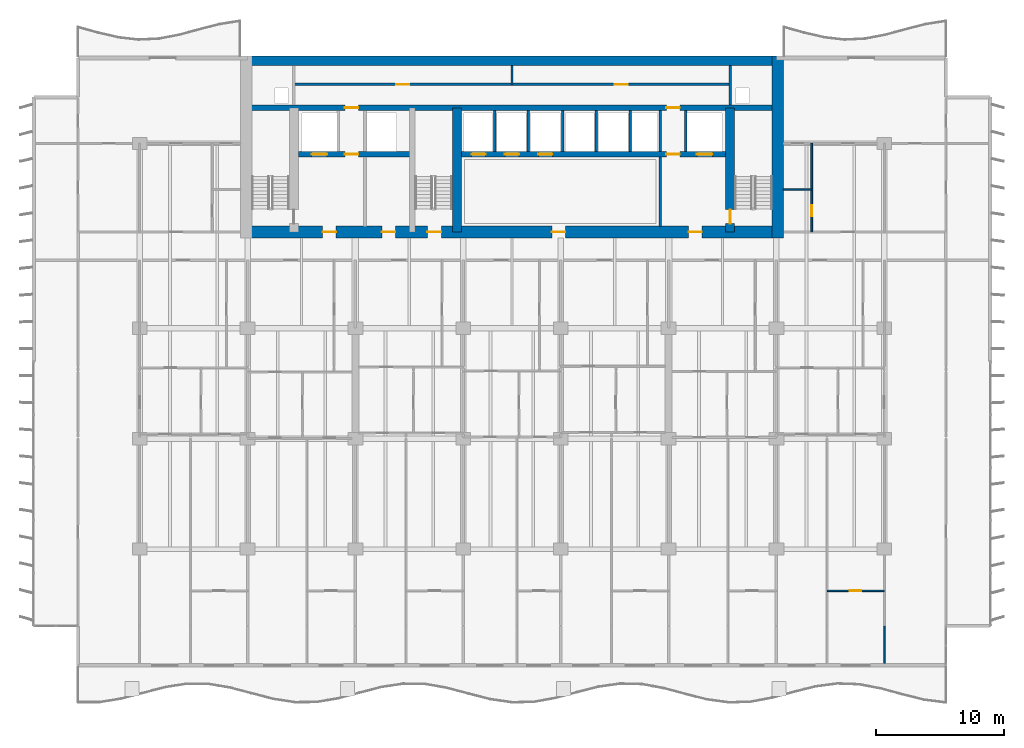
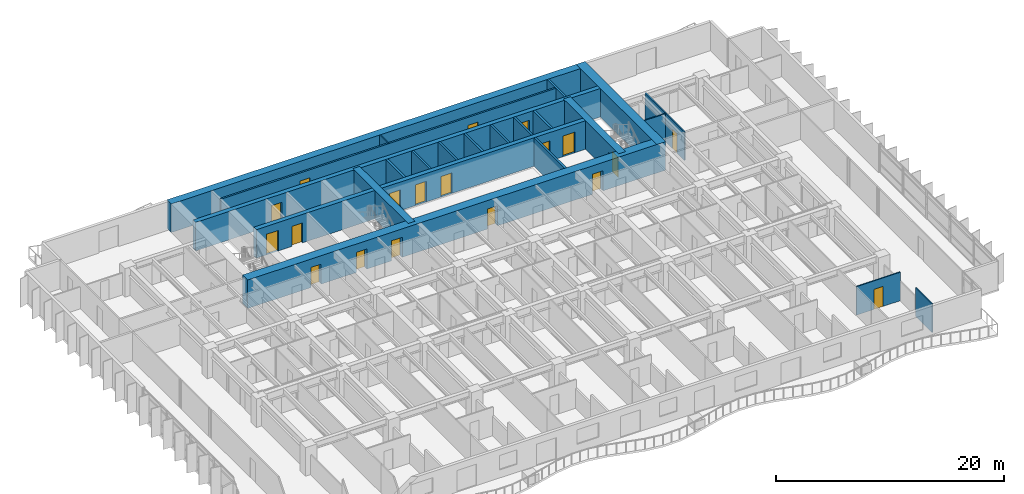
# One storey, part 12 of 18: 22 walls, 19 doors, 19 openings.
"""IFC4 building model written with IfcOpenShell, lengths in metres."""

from ifc_helpers import new_model, si_unit, direction, frame, frame_2d, origin, place, context, subcontext, project, spatial, rectangle, extrude, material, layer, layer_set, type_object, element, fill, save


model = new_model("IFC4")

# Units and contexts
model_context = context("Model", 3, precision=1e-05, world=origin(), true_north=direction((0.0, 1.0)))
body_context = subcontext(model_context, "Body", "Model", "MODEL_VIEW")
ifc_project = project(units=[si_unit("LENGTHUNIT", "METRE"), si_unit("AREAUNIT", "SQUARE_METRE"), si_unit("VOLUMEUNIT", "CUBIC_METRE"), si_unit("PLANEANGLEUNIT", "RADIAN"), si_unit("MASSUNIT", "GRAM", prefix="KILO")], contexts=[model_context])

# Site, building, storey
site_placement = place(None, origin())
site = spatial("IfcSite", under=ifc_project, at=site_placement, CompositionType="ELEMENT")
building_placement = place(site_placement, origin())
building = spatial("IfcBuilding", under=site, at=building_placement, Name="Caelmar Bay Residences", CompositionType="ELEMENT")
storey_placement = place(building_placement, frame((0.0, 0.0, 69.60009765625)))
storey = spatial("IfcBuildingStorey", under=building, at=storey_placement, Name="L18", CompositionType="ELEMENT", Elevation=69.60009765625)

# Wall, opening, door
ifc_material_1 = material(Name="Concrete f'c 55 MPa (8,000 psi)", Category="concrete")
ifc_layer_1 = layer(ifc_material_1, 0.699951171875)
ifc_layer_set_1 = layer_set([ifc_layer_1], Name="Concrete f'c 55 MPa (8,000 psi)")
wall_type_1 = type_object("IfcWallType", Name="SW-COR-700", PredefinedType="SHEAR", material=ifc_layer_set_1)
wall_1_placement = place(storey_placement, frame((55.89990234375, 36.89990234375, 0.0), z_axis=(0.0, 0.0, 1.0), x_axis=(0.0, 1.0, 0.0)))
wall_1 = element("IfcWall", 1, at=wall_1_placement, inside=storey, type_object=wall_type_1, Name="L18 Core Structural Web Wall ST2W", PredefinedType="SHEAR", context=body_context, shape_type="SweptSolid", body=[
    extrude(rectangle(XDim=9.675048828125, YDim=0.699951171875, at=frame_2d((4.83740234375, 0.0))), origin(), (0.0, 0.0, 1.0), 3.0498046875),
])
opening_1_placement = place(wall_1_placement, frame((0.64990234375, 0.0, 0.0)))
opening_1 = element("IfcOpeningElement", 2, at=opening_1_placement, cuts=wall_1, Name="Opening D-L18-111", PredefinedType="OPENING", context=body_context, shape_type="SweptSolid", body=[
    extrude(rectangle(XDim=1.10009765625, YDim=2.14990234375, at=frame_2d((0.550048828125, 1.074951171875))), frame((0.0, 0.35986328125, 0.0), z_axis=(0.0, -1.0, 0.0), x_axis=(1.0, 0.0, 0.0)), (0.0, 0.0, 1.0), 0.719970703125),
])
ifc_material_2 = material(Name="Fire-rated steel and walnut architectural door assembly", Category="steel")
ifc_layer_2 = layer(ifc_material_2, 0.050048828125)
ifc_layer_set_2 = layer_set([ifc_layer_2], Name="Fire-rated steel and walnut architectural door assembly")
door_type_1 = type_object("IfcDoorType", Name="D-STAIR-1100", OperationType="NOTDEFINED", PredefinedType="DOOR", material=ifc_layer_set_2)
door_1_placement = place(opening_1_placement, origin())
door_1 = element("IfcDoor", 3, at=door_1_placement, inside=storey, type_object=door_type_1, Name="L18 Firefighting Lobby East Door", OperationType="SINGLE_SWING_RIGHT", OverallHeight=2.14990234375, OverallWidth=1.10009765625, PredefinedType="DOOR", context=body_context, shape_type="SweptSolid", body=[
    extrude(rectangle(XDim=1.10009765625, YDim=2.14990234375, at=frame_2d((0.550048828125, 1.074951171875))), frame((0.0, 0.02490234375, 0.0), z_axis=(0.0, -1.0, 0.0), x_axis=(1.0, 0.0, 0.0)), (0.0, 0.0, 1.0), 0.050048828125),
])
fill(opening_1, door_1)

# Wall
wall_2_placement = place(storey_placement, frame((34.60009765625, 36.89990234375, 0.0), z_axis=(0.0, 0.0, 1.0), x_axis=(0.0, 1.0, 0.0)))
element("IfcWall", 4, at=wall_2_placement, inside=storey, type_object=wall_type_1, Name="L18 Core Structural Web Wall ST3E", PredefinedType="SHEAR", context=body_context, shape_type="SweptSolid", body=[
    extrude(rectangle(XDim=9.675048828125, YDim=0.699951171875, at=frame_2d((4.83740234375, 0.0))), origin(), (0.0, 0.0, 1.0), 3.0498046875),
])

# Wall, openings, doors
ifc_material_3 = material(Name="Concrete f'c 70 MPa (10,000 psi)", Category="concrete")
ifc_layer_3 = layer(ifc_material_3, 0.89990234375)
ifc_layer_set_3 = layer_set([ifc_layer_3], Name="Concrete f'c 70 MPa (10,000 psi)")
wall_type_2 = type_object("IfcWallType", Name="SW-COR-900", PredefinedType="SHEAR", material=ifc_layer_set_3)
wall_3_placement = place(storey_placement, frame((17.75, 36.89990234375, 0.0), z_axis=(0.0, 0.0, 1.0), x_axis=(1.0, 0.0, 0.0)))
wall_3 = element("IfcWall", 5, at=wall_3_placement, inside=storey, type_object=wall_type_2, Name="L18 Rear Core South Shear Wall", PredefinedType="SHEAR", context=body_context, shape_type="SweptSolid", body=[
    extrude(rectangle(XDim=42.300048828125, YDim=0.89990234375, at=frame_2d((21.14990234375, 0.0))), origin(), (0.0, 0.0, 1.0), 3.0498046875),
])
opening_2_placement = place(wall_3_placement, frame((14.550048828125, 0.0, 0.0)))
opening_2 = element("IfcOpeningElement", 6, at=opening_2_placement, cuts=wall_3, Name="Opening D-L18-106", PredefinedType="OPENING", context=body_context, shape_type="SweptSolid", body=[
    extrude(rectangle(XDim=1.10009765625, YDim=2.14990234375, at=frame_2d((0.550048828125, 1.074951171875))), frame((0.0, 0.4599609375, 0.0), z_axis=(0.0, -1.0, 0.0), x_axis=(1.0, 0.0, 0.0)), (0.0, 0.0, 1.0), 0.919921875),
])
opening_3_placement = place(wall_3_placement, frame((6.39990234375, 0.0, 0.0)))
opening_3 = element("IfcOpeningElement", 7, at=opening_3_placement, cuts=wall_3, Name="Opening D-L18-107", PredefinedType="OPENING", context=body_context, shape_type="SweptSolid", body=[
    extrude(rectangle(XDim=1.050048828125, YDim=2.14990234375, at=frame_2d((0.52490234375, 1.074951171875))), frame((0.0, 0.4599609375, 0.0), z_axis=(0.0, -1.0, 0.0), x_axis=(1.0, 0.0, 0.0)), (0.0, 0.0, 1.0), 0.919921875),
])
opening_4_placement = place(wall_3_placement, frame((34.89990234375, 0.0, 0.0)))
opening_4 = element("IfcOpeningElement", 8, at=opening_4_placement, cuts=wall_3, Name="Opening D-L18-110", PredefinedType="OPENING", context=body_context, shape_type="SweptSolid", body=[
    extrude(rectangle(XDim=1.050048828125, YDim=2.14990234375, at=frame_2d((0.52490234375, 1.074951171875))), frame((0.0, 0.4599609375, 0.0), z_axis=(0.0, -1.0, 0.0), x_axis=(1.0, 0.0, 0.0)), (0.0, 0.0, 1.0), 0.919921875),
])
opening_5_placement = place(wall_3_placement, frame((11.012451171875, 0.0, 0.0)))
opening_5 = element("IfcOpeningElement", 9, at=opening_5_placement, cuts=wall_3, Name="Opening D-L18-113", PredefinedType="OPENING", context=body_context, shape_type="SweptSolid", body=[
    extrude(rectangle(XDim=1.050048828125, YDim=2.14990234375, at=frame_2d((0.52490234375, 1.074951171875))), frame((0.0, 0.4599609375, 0.0), z_axis=(0.0, -1.0, 0.0), x_axis=(1.0, 0.0, 0.0)), (0.0, 0.0, 1.0), 0.919921875),
])
opening_6_placement = place(wall_3_placement, frame((24.25, 0.0, 0.0)))
opening_6 = element("IfcOpeningElement", 10, at=opening_6_placement, cuts=wall_3, Name="Opening D-L18-114", PredefinedType="OPENING", context=body_context, shape_type="SweptSolid", body=[
    extrude(rectangle(XDim=1.050048828125, YDim=2.14990234375, at=frame_2d((0.52490234375, 1.074951171875))), frame((0.0, 0.4599609375, 0.0), z_axis=(0.0, -1.0, 0.0), x_axis=(1.0, 0.0, 0.0)), (0.0, 0.0, 1.0), 0.919921875),
])
ifc_layer_4 = layer(ifc_material_2, 0.050048828125)
ifc_layer_set_4 = layer_set([ifc_layer_4], Name="Fire-rated steel and walnut architectural door assembly")
door_type_2 = type_object("IfcDoorType", Name="D-FSAE-1050", OperationType="NOTDEFINED", PredefinedType="DOOR", material=ifc_layer_set_4)
door_2_placement = place(opening_3_placement, origin())
door_2 = element("IfcDoor", 11, at=door_2_placement, inside=storey, type_object=door_type_2, Name="L18 Firefighting Lobby West Door", OperationType="SINGLE_SWING_RIGHT", OverallHeight=2.14990234375, OverallWidth=1.050048828125, PredefinedType="DOOR", context=body_context, shape_type="SweptSolid", body=[
    extrude(rectangle(XDim=1.050048828125, YDim=2.14990234375, at=frame_2d((0.52490234375, 1.074951171875))), frame((0.0, 0.02490234375, 0.0), z_axis=(0.0, -1.0, 0.0), x_axis=(1.0, 0.0, 0.0)), (0.0, 0.0, 1.0), 0.050048828125),
])
fill(opening_3, door_2)
door_3_placement = place(opening_4_placement, origin())
door_3 = element("IfcDoor", 12, at=door_3_placement, inside=storey, type_object=door_type_2, Name="L18 Firefighting Lobby East Door", OperationType="SINGLE_SWING_LEFT", OverallHeight=2.14990234375, OverallWidth=1.050048828125, PredefinedType="DOOR", context=body_context, shape_type="SweptSolid", body=[
    extrude(rectangle(XDim=1.050048828125, YDim=2.14990234375, at=frame_2d((0.52490234375, 1.074951171875))), frame((0.0, 0.02490234375, 0.0), z_axis=(0.0, -1.0, 0.0), x_axis=(1.0, 0.0, 0.0)), (0.0, 0.0, 1.0), 0.050048828125),
])
fill(opening_4, door_3)
door_4_placement = place(opening_5_placement, origin())
door_4 = element("IfcDoor", 13, at=door_4_placement, inside=storey, type_object=door_type_2, Name="L18 West Lift Lobby Door", OperationType="SINGLE_SWING_RIGHT", OverallHeight=2.14990234375, OverallWidth=1.050048828125, PredefinedType="DOOR", context=body_context, shape_type="SweptSolid", body=[
    extrude(rectangle(XDim=1.050048828125, YDim=2.14990234375, at=frame_2d((0.52490234375, 1.074951171875))), frame((0.0, 0.02490234375, 0.0), z_axis=(0.0, -1.0, 0.0), x_axis=(1.0, 0.0, 0.0)), (0.0, 0.0, 1.0), 0.050048828125),
])
fill(opening_5, door_4)
door_5_placement = place(opening_6_placement, origin())
door_5 = element("IfcDoor", 14, at=door_5_placement, inside=storey, type_object=door_type_2, Name="L18 Passenger Lift Lobby Door", OperationType="SINGLE_SWING_LEFT", OverallHeight=2.14990234375, OverallWidth=1.050048828125, PredefinedType="DOOR", context=body_context, shape_type="SweptSolid", body=[
    extrude(rectangle(XDim=1.050048828125, YDim=2.14990234375, at=frame_2d((0.52490234375, 1.074951171875))), frame((0.0, 0.02490234375, 0.0), z_axis=(0.0, -1.0, 0.0), x_axis=(1.0, 0.0, 0.0)), (0.0, 0.0, 1.0), 0.050048828125),
])
fill(opening_6, door_5)
door_6_placement = place(opening_2_placement, origin())
door_6 = element("IfcDoor", 15, at=door_6_placement, inside=storey, type_object=door_type_1, Name="L18 Exit Stair ST3 Door", OperationType="SINGLE_SWING_LEFT", OverallHeight=2.14990234375, OverallWidth=1.10009765625, PredefinedType="DOOR", context=body_context, shape_type="SweptSolid", body=[
    extrude(rectangle(XDim=1.10009765625, YDim=2.14990234375, at=frame_2d((0.550048828125, 1.074951171875))), frame((0.0, 0.02490234375, 0.0), z_axis=(0.0, -1.0, 0.0), x_axis=(1.0, 0.0, 0.0)), (0.0, 0.0, 1.0), 0.050048828125),
])
fill(opening_2, door_6)

# Walls
wall_4_placement = place(storey_placement, frame((59.60009765625, 36.449951171875, 0.0), z_axis=(0.0, 0.0, 1.0), x_axis=(0.0, 1.0, 0.0)))
element("IfcWall", 16, at=wall_4_placement, inside=storey, type_object=wall_type_2, Name="L18 Rear Core East Shear Wall", PredefinedType="SHEAR", context=body_context, shape_type="SweptSolid", body=[
    extrude(rectangle(XDim=14.150146484375, YDim=0.89990234375, at=frame_2d((7.0751953125, 0.0))), origin(), (0.0, 0.0, 1.0), 3.0498046875),
])
ifc_layer_5 = layer(ifc_material_3, 0.75)
ifc_layer_set_5 = layer_set([ifc_layer_5], Name="Concrete f'c 70 MPa (10,000 psi)")
wall_type_3 = type_object("IfcWallType", Name="SW-CORN-750", PredefinedType="SHEAR", material=ifc_layer_set_5)
wall_5_placement = place(storey_placement, frame((17.75, 50.22509765625, 0.0), z_axis=(0.0, 0.0, 1.0), x_axis=(1.0, 0.0, 0.0)))
element("IfcWall", 17, at=wall_5_placement, inside=storey, type_object=wall_type_3, Name="L18 Rear Core North Shear Wall", PredefinedType="SHEAR", context=body_context, shape_type="SweptSolid", body=[
    extrude(rectangle(XDim=42.300048828125, YDim=0.75, at=frame_2d((21.14990234375, 0.0))), origin(), (0.0, 0.0, 1.0), 3.0498046875),
])

# Wall, openings, doors
ifc_layer_6 = layer(ifc_material_3, 0.449951171875)
ifc_layer_set_6 = layer_set([ifc_layer_6], Name="Concrete f'c 70 MPa (10,000 psi)")
wall_type_4 = type_object("IfcWallType", Name="SW-WEB-450", PredefinedType="SHEAR", material=ifc_layer_set_6)
wall_6_placement = place(storey_placement, frame((22.25, 42.949951171875, 0.0), z_axis=(0.0, 0.0, 1.0), x_axis=(1.0, 0.0, 0.0)))
wall_6 = element("IfcWall", 18, at=wall_6_placement, inside=storey, type_object=wall_type_4, Name="L18 Core Structural Web Wall LFR", PredefinedType="SHEAR", context=body_context, shape_type="SweptSolid", body=[
    extrude(rectangle(XDim=33.300048828125, YDim=0.449951171875, at=frame_2d((16.64990234375, 0.0))), origin(), (0.0, 0.0, 1.0), 3.0498046875),
])
opening_7_placement = place(wall_6_placement, frame((1.050048828125, 0.0, 0.0)))
opening_7 = element("IfcOpeningElement", 19, at=opening_7_placement, cuts=wall_6, Name="Opening LD2", PredefinedType="OPENING", context=body_context, shape_type="SweptSolid", body=[
    extrude(rectangle(XDim=1.199951171875, YDim=2.199951171875, at=frame_2d((0.60009765625, 1.10009765625))), frame((0.0, 0.23486328125, 0.0), z_axis=(0.0, -1.0, 0.0), x_axis=(1.0, 0.0, 0.0)), (0.0, 0.0, 1.0), 0.469970703125),
])
opening_8_placement = place(wall_6_placement, frame((31.050048828125, 0.0, 0.0)))
opening_8 = element("IfcOpeningElement", 20, at=opening_8_placement, cuts=wall_6, Name="Opening LD2", PredefinedType="OPENING", context=body_context, shape_type="SweptSolid", body=[
    extrude(rectangle(XDim=1.199951171875, YDim=2.199951171875, at=frame_2d((0.60009765625, 1.10009765625))), frame((0.0, 0.23486328125, 0.0), z_axis=(0.0, -1.0, 0.0), x_axis=(1.0, 0.0, 0.0)), (0.0, 0.0, 1.0), 0.469970703125),
])
opening_9_placement = place(wall_6_placement, frame((13.5, 0.0, 0.0)))
opening_9 = element("IfcOpeningElement", 21, at=opening_9_placement, cuts=wall_6, Name="Opening LD1", PredefinedType="OPENING", context=body_context, shape_type="SweptSolid", body=[
    extrude(rectangle(XDim=1.10009765625, YDim=2.199951171875, at=frame_2d((0.550048828125, 1.10009765625))), frame((0.0, 0.23486328125, 0.0), z_axis=(0.0, -1.0, 0.0), x_axis=(1.0, 0.0, 0.0)), (0.0, 0.0, 1.0), 0.469970703125),
])
opening_10_placement = place(wall_6_placement, frame((16.10009765625, 0.0, 0.0)))
opening_10 = element("IfcOpeningElement", 22, at=opening_10_placement, cuts=wall_6, Name="Opening LD1", PredefinedType="OPENING", context=body_context, shape_type="SweptSolid", body=[
    extrude(rectangle(XDim=1.10009765625, YDim=2.199951171875, at=frame_2d((0.550048828125, 1.10009765625))), frame((0.0, 0.23486328125, 0.0), z_axis=(0.0, -1.0, 0.0), x_axis=(1.0, 0.0, 0.0)), (0.0, 0.0, 1.0), 0.469970703125),
])
opening_11_placement = place(wall_6_placement, frame((18.699951171875, 0.0, 0.0)))
opening_11 = element("IfcOpeningElement", 23, at=opening_11_placement, cuts=wall_6, Name="Opening LD1", PredefinedType="OPENING", context=body_context, shape_type="SweptSolid", body=[
    extrude(rectangle(XDim=1.10009765625, YDim=2.199951171875, at=frame_2d((0.550048828125, 1.10009765625))), frame((0.0, 0.23486328125, 0.0), z_axis=(0.0, -1.0, 0.0), x_axis=(1.0, 0.0, 0.0)), (0.0, 0.0, 1.0), 0.469970703125),
])
opening_12_placement = place(wall_6_placement, frame((3.625, 0.0, 0.0)))
opening_12 = element("IfcOpeningElement", 24, at=opening_12_placement, cuts=wall_6, Name="Opening D-L18-109", PredefinedType="OPENING", context=body_context, shape_type="SweptSolid", body=[
    extrude(rectangle(XDim=1.050048828125, YDim=2.14990234375, at=frame_2d((0.52490234375, 1.074951171875))), frame((0.0, 0.23486328125, 0.0), z_axis=(0.0, -1.0, 0.0), x_axis=(1.0, 0.0, 0.0)), (0.0, 0.0, 1.0), 0.469970703125),
])
opening_13_placement = place(wall_6_placement, frame((28.675048828125, 0.0, 0.0)))
opening_13 = element("IfcOpeningElement", 25, at=opening_13_placement, cuts=wall_6, Name="Opening D-L18-112", PredefinedType="OPENING", context=body_context, shape_type="SweptSolid", body=[
    extrude(rectangle(XDim=1.050048828125, YDim=2.14990234375, at=frame_2d((0.52490234375, 1.074951171875))), frame((0.0, 0.23486328125, 0.0), z_axis=(0.0, -1.0, 0.0), x_axis=(1.0, 0.0, 0.0)), (0.0, 0.0, 1.0), 0.469970703125),
])
door_7_placement = place(opening_12_placement, origin())
door_7 = element("IfcDoor", 26, at=door_7_placement, inside=storey, type_object=door_type_2, Name="L18 Firefighting Lobby West Door", OperationType="SINGLE_SWING_RIGHT", OverallHeight=2.14990234375, OverallWidth=1.050048828125, PredefinedType="DOOR", context=body_context, shape_type="SweptSolid", body=[
    extrude(rectangle(XDim=1.050048828125, YDim=2.14990234375, at=frame_2d((0.52490234375, 1.074951171875))), frame((0.0, 0.02490234375, 0.0), z_axis=(0.0, -1.0, 0.0), x_axis=(1.0, 0.0, 0.0)), (0.0, 0.0, 1.0), 0.050048828125),
])
fill(opening_12, door_7)
door_8_placement = place(opening_13_placement, origin())
door_8 = element("IfcDoor", 27, at=door_8_placement, inside=storey, type_object=door_type_2, Name="L18 Firefighting Lobby East Door", OperationType="SINGLE_SWING_LEFT", OverallHeight=2.14990234375, OverallWidth=1.050048828125, PredefinedType="DOOR", context=body_context, shape_type="SweptSolid", body=[
    extrude(rectangle(XDim=1.050048828125, YDim=2.14990234375, at=frame_2d((0.52490234375, 1.074951171875))), frame((0.0, 0.02490234375, 0.0), z_axis=(0.0, -1.0, 0.0), x_axis=(1.0, 0.0, 0.0)), (0.0, 0.0, 1.0), 0.050048828125),
])
fill(opening_13, door_8)
ifc_material_4 = material(Name="Brushed bronze stainless-steel fire-rated lift landing doors", Category="steel")
ifc_layer_7 = layer(ifc_material_4, 0.050048828125)
ifc_layer_set_7 = layer_set([ifc_layer_7], Name="Brushed bronze stainless-steel fire-rated lift landing doors")
door_type_3 = type_object("IfcDoorType", Name="D-LND-1100", OperationType="DOUBLE_DOOR_SLIDING", PredefinedType="DOOR", material=ifc_layer_set_7)
door_9_placement = place(opening_9_placement, origin())
door_9 = element("IfcDoor", 28, at=door_9_placement, inside=storey, type_object=door_type_3, Name="L18 LP1 Sliding Landing Door", OperationType="DOUBLE_DOOR_SLIDING", OverallHeight=2.199951171875, OverallWidth=1.10009765625, PredefinedType="DOOR", context=body_context, shape_type="SweptSolid", body=[
    extrude(rectangle(XDim=1.10009765625, YDim=2.199951171875, at=frame_2d((0.550048828125, 1.10009765625))), frame((0.0, 0.02490234375, 0.0), z_axis=(0.0, -1.0, 0.0), x_axis=(1.0, 0.0, 0.0)), (0.0, 0.0, 1.0), 0.050048828125),
])
fill(opening_9, door_9)
door_10_placement = place(opening_10_placement, origin())
door_10 = element("IfcDoor", 29, at=door_10_placement, inside=storey, type_object=door_type_3, Name="L18 LP2 Sliding Landing Door", OperationType="DOUBLE_DOOR_SLIDING", OverallHeight=2.199951171875, OverallWidth=1.10009765625, PredefinedType="DOOR", context=body_context, shape_type="SweptSolid", body=[
    extrude(rectangle(XDim=1.10009765625, YDim=2.199951171875, at=frame_2d((0.550048828125, 1.10009765625))), frame((0.0, 0.02490234375, 0.0), z_axis=(0.0, -1.0, 0.0), x_axis=(1.0, 0.0, 0.0)), (0.0, 0.0, 1.0), 0.050048828125),
])
fill(opening_10, door_10)
door_11_placement = place(opening_11_placement, origin())
door_11 = element("IfcDoor", 30, at=door_11_placement, inside=storey, type_object=door_type_3, Name="L18 LP3 Sliding Landing Door", OperationType="DOUBLE_DOOR_SLIDING", OverallHeight=2.199951171875, OverallWidth=1.10009765625, PredefinedType="DOOR", context=body_context, shape_type="SweptSolid", body=[
    extrude(rectangle(XDim=1.10009765625, YDim=2.199951171875, at=frame_2d((0.550048828125, 1.10009765625))), frame((0.0, 0.02490234375, 0.0), z_axis=(0.0, -1.0, 0.0), x_axis=(1.0, 0.0, 0.0)), (0.0, 0.0, 1.0), 0.050048828125),
])
fill(opening_11, door_11)
ifc_material_5 = material(Name="Brushed stainless-steel FSAE sliding landing door", Category="steel")
ifc_layer_8 = layer(ifc_material_5, 0.050048828125)
ifc_layer_set_8 = layer_set([ifc_layer_8], Name="Brushed stainless-steel FSAE sliding landing door")
door_type_4 = type_object("IfcDoorType", Name="D-LND-1200", OperationType="DOUBLE_DOOR_SLIDING", PredefinedType="DOOR", material=ifc_layer_set_8)
door_12_placement = place(opening_7_placement, origin())
door_12 = element("IfcDoor", 31, at=door_12_placement, inside=storey, type_object=door_type_4, Name="L18 LF1 Sliding Landing Door", OperationType="DOUBLE_DOOR_SLIDING", OverallHeight=2.199951171875, OverallWidth=1.199951171875, PredefinedType="DOOR", context=body_context, shape_type="SweptSolid", body=[
    extrude(rectangle(XDim=1.199951171875, YDim=2.199951171875, at=frame_2d((0.60009765625, 1.10009765625))), frame((0.0, 0.02490234375, 0.0), z_axis=(0.0, -1.0, 0.0), x_axis=(1.0, 0.0, 0.0)), (0.0, 0.0, 1.0), 0.050048828125),
])
fill(opening_7, door_12)
door_13_placement = place(opening_8_placement, origin())
door_13 = element("IfcDoor", 32, at=door_13_placement, inside=storey, type_object=door_type_4, Name="L18 LF2 Sliding Landing Door", OperationType="DOUBLE_DOOR_SLIDING", OverallHeight=2.199951171875, OverallWidth=1.199951171875, PredefinedType="DOOR", context=body_context, shape_type="SweptSolid", body=[
    extrude(rectangle(XDim=1.199951171875, YDim=2.199951171875, at=frame_2d((0.60009765625, 1.10009765625))), frame((0.0, 0.02490234375, 0.0), z_axis=(0.0, -1.0, 0.0), x_axis=(1.0, 0.0, 0.0)), (0.0, 0.0, 1.0), 0.050048828125),
])
fill(opening_8, door_13)

wall_7_placement = place(storey_placement, frame((18.199951171875, 46.574951171875, 0.0), z_axis=(0.0, 0.0, 1.0), x_axis=(1.0, 0.0, 0.0)))
wall_7 = element("IfcWall", 33, at=wall_7_placement, inside=storey, type_object=wall_type_4, Name="L18 Core Structural Web Wall SRVS", PredefinedType="SHEAR", context=body_context, shape_type="SweptSolid", body=[
    extrude(rectangle(XDim=41.400146484375, YDim=0.449951171875, at=frame_2d((20.7001953125, 0.0))), origin(), (0.0, 0.0, 1.0), 3.0498046875),
])
opening_14_placement = place(wall_7_placement, frame((7.675048828125, 0.0, 0.0)))
opening_14 = element("IfcOpeningElement", 34, at=opening_14_placement, cuts=wall_7, Name="Opening D-L18-115", PredefinedType="OPENING", context=body_context, shape_type="SweptSolid", body=[
    extrude(rectangle(XDim=1.050048828125, YDim=2.14990234375, at=frame_2d((0.52490234375, 1.074951171875))), frame((0.0, 0.23486328125, 0.0), z_axis=(0.0, -1.0, 0.0), x_axis=(1.0, 0.0, 0.0)), (0.0, 0.0, 1.0), 0.469970703125),
])
opening_15_placement = place(wall_7_placement, frame((32.72509765625, 0.0, 0.0)))
opening_15 = element("IfcOpeningElement", 35, at=opening_15_placement, cuts=wall_7, Name="Opening D-L18-116", PredefinedType="OPENING", context=body_context, shape_type="SweptSolid", body=[
    extrude(rectangle(XDim=1.050048828125, YDim=2.14990234375, at=frame_2d((0.52490234375, 1.074951171875))), frame((0.0, 0.23486328125, 0.0), z_axis=(0.0, -1.0, 0.0), x_axis=(1.0, 0.0, 0.0)), (0.0, 0.0, 1.0), 0.469970703125),
])
door_14_placement = place(opening_14_placement, origin())
door_14 = element("IfcDoor", 36, at=door_14_placement, inside=storey, type_object=door_type_2, Name="L18 Core Service Corridor Door", OperationType="SINGLE_SWING_RIGHT", OverallHeight=2.14990234375, OverallWidth=1.050048828125, PredefinedType="DOOR", context=body_context, shape_type="SweptSolid", body=[
    extrude(rectangle(XDim=1.050048828125, YDim=2.14990234375, at=frame_2d((0.52490234375, 1.074951171875))), frame((0.0, 0.02490234375, 0.0), z_axis=(0.0, -1.0, 0.0), x_axis=(1.0, 0.0, 0.0)), (0.0, 0.0, 1.0), 0.050048828125),
])
fill(opening_14, door_14)
door_15_placement = place(opening_15_placement, origin())
door_15 = element("IfcDoor", 37, at=door_15_placement, inside=storey, type_object=door_type_2, Name="L18 Core Service Corridor Door", OperationType="SINGLE_SWING_LEFT", OverallHeight=2.14990234375, OverallWidth=1.050048828125, PredefinedType="DOOR", context=body_context, shape_type="SweptSolid", body=[
    extrude(rectangle(XDim=1.050048828125, YDim=2.14990234375, at=frame_2d((0.52490234375, 1.074951171875))), frame((0.0, 0.02490234375, 0.0), z_axis=(0.0, -1.0, 0.0), x_axis=(1.0, 0.0, 0.0)), (0.0, 0.0, 1.0), 0.050048828125),
])
fill(opening_15, door_15)

ifc_material_6 = material(Name="Double-stud acoustic fire-rated gypsum partition 180 mm")
ifc_layer_9 = layer(ifc_material_6, 0.179931640625)
ifc_layer_set_9 = layer_set([ifc_layer_9], Name="Double-stud acoustic fire-rated gypsum partition 180 mm")
wall_type_5 = type_object("IfcWallType", Name="W-COR-200", PredefinedType="PARTITIONING", material=ifc_layer_set_9)
wall_8_placement = place(storey_placement, frame((21.89990234375, 48.39990234375, 0.0), z_axis=(0.0, 0.0, 1.0), x_axis=(1.0, 0.0, 0.0)))
wall_8 = element("IfcWall", 38, at=wall_8_placement, inside=storey, type_object=wall_type_5, Name="L18 Partition Wall H147", PredefinedType="PARTITIONING", context=body_context, shape_type="SweptSolid", body=[
    extrude(rectangle(XDim=34.0, YDim=0.179931640625, at=frame_2d((17.0, 0.0))), origin(), (0.0, 0.0, 1.0), 3.0498046875),
])
opening_16_placement = place(wall_8_placement, frame((8.0, 0.0, 0.0)))
opening_16 = element("IfcOpeningElement", 39, at=opening_16_placement, cuts=wall_8, Name="Opening D-L18-117", PredefinedType="OPENING", context=body_context, shape_type="SweptSolid", body=[
    extrude(rectangle(XDim=1.0, YDim=2.199951171875, at=frame_2d((0.5, 1.10009765625))), frame((0.0, 0.099853515625, 0.0), z_axis=(0.0, -1.0, 0.0), x_axis=(1.0, 0.0, 0.0)), (0.0, 0.0, 1.0), 0.199951171875),
])
opening_17_placement = place(wall_8_placement, frame((25.0, 0.0, 0.0)))
opening_17 = element("IfcOpeningElement", 40, at=opening_17_placement, cuts=wall_8, Name="Opening D-L18-118", PredefinedType="OPENING", context=body_context, shape_type="SweptSolid", body=[
    extrude(rectangle(XDim=1.0, YDim=2.199951171875, at=frame_2d((0.5, 1.10009765625))), frame((0.0, 0.099853515625, 0.0), z_axis=(0.0, -1.0, 0.0), x_axis=(1.0, 0.0, 0.0)), (0.0, 0.0, 1.0), 0.199951171875),
])
ifc_layer_10 = layer(ifc_material_2, 0.050048828125)
ifc_layer_set_10 = layer_set([ifc_layer_10], Name="Fire-rated steel and walnut architectural door assembly")
door_type_5 = type_object("IfcDoorType", Name="D-UNIT-1000", OperationType="NOTDEFINED", PredefinedType="DOOR", material=ifc_layer_set_10)
door_16_placement = place(opening_16_placement, origin())
door_16 = element("IfcDoor", 41, at=door_16_placement, inside=storey, type_object=door_type_5, Name="L18 Building Management Office Door", OperationType="SINGLE_SWING_RIGHT", OverallHeight=2.199951171875, OverallWidth=1.0, PredefinedType="DOOR", context=body_context, shape_type="SweptSolid", body=[
    extrude(rectangle(XDim=1.0, YDim=2.199951171875, at=frame_2d((0.5, 1.10009765625))), frame((0.0, 0.02490234375, 0.0), z_axis=(0.0, -1.0, 0.0), x_axis=(1.0, 0.0, 0.0)), (0.0, 0.0, 1.0), 0.050048828125),
])
fill(opening_16, door_16)
door_17_placement = place(opening_17_placement, origin())
door_17 = element("IfcDoor", 42, at=door_17_placement, inside=storey, type_object=door_type_5, Name="L18 Concierge Operations Office Door", OperationType="SINGLE_SWING_LEFT", OverallHeight=2.199951171875, OverallWidth=1.0, PredefinedType="DOOR", context=body_context, shape_type="SweptSolid", body=[
    extrude(rectangle(XDim=1.0, YDim=2.199951171875, at=frame_2d((0.5, 1.10009765625))), frame((0.0, 0.02490234375, 0.0), z_axis=(0.0, -1.0, 0.0), x_axis=(1.0, 0.0, 0.0)), (0.0, 0.0, 1.0), 0.050048828125),
])
fill(opening_17, door_17)

# Walls
ifc_material_7 = material(Name="Fire-rated masonry and gypsum shaftliner assembly 200 mm", Category="masonry")
ifc_layer_11 = layer(ifc_material_7, 0.199951171875)
ifc_layer_set_11 = layer_set([ifc_layer_11], Name="Fire-rated masonry and gypsum shaftliner assembly 200 mm")
wall_type_6 = type_object("IfcWallType", Name="W-FSAE-200", PredefinedType="PARTITIONING", material=ifc_layer_set_11)
for number, where, z_axis, x_axis, name in (
    (43, (37.550048828125, 43.169921875, 0.0), (0.0, 0.0, 1.0), (0.0, 1.0, 0.0), "L18 Partition Wall V053"),
    (44, (40.14990234375, 43.169921875, 0.0), (0.0, 0.0, 1.0), (0.0, 1.0, 0.0), "L18 Partition Wall V059"),
    (45, (42.85009765625, 43.169921875, 0.0), (0.0, 0.0, 1.0), (0.0, 1.0, 0.0), "L18 Partition Wall V068"),
    (46, (45.449951171875, 43.169921875, 0.0), (0.0, 0.0, 1.0), (0.0, 1.0, 0.0), "L18 Partition Wall V069"),
    (47, (48.10009765625, 43.169921875, 0.0), (0.0, 0.0, 1.0), (0.0, 1.0, 0.0), "L18 Partition Wall V075"),
):
    element("IfcWall", number, at=place(storey_placement, frame(where, z_axis=z_axis, x_axis=x_axis)), inside=storey, type_object=wall_type_6, Name=name, PredefinedType="PARTITIONING", context=body_context, shape_type="SweptSolid", body=[
        extrude(rectangle(XDim=3.18505859375, YDim=0.199951171875, at=frame_2d((1.592529296875, 0.0))), origin(), (0.0, 0.0, 1.0), 3.0498046875),
    ])
wall_9_placement = place(storey_placement, frame((50.449951171875, 37.344970703125, 0.0), z_axis=(0.0, 0.0, 1.0), x_axis=(0.0, 1.0, 0.0)))
element("IfcWall", 48, at=wall_9_placement, inside=storey, type_object=wall_type_6, Name="L18 Partition Wall V077", PredefinedType="PARTITIONING", context=body_context, shape_type="SweptSolid", body=[
    extrude(rectangle(XDim=5.385009765625, YDim=0.199951171875, at=frame_2d((2.6923828125, 0.0))), origin(), (0.0, 0.0, 1.0), 3.0498046875),
])
for number, where, z_axis, x_axis, name in (
    (49, (50.449951171875, 43.169921875, 0.0), (0.0, 0.0, 1.0), (0.0, 1.0, 0.0), "L18 Partition Wall V078"),
    (50, (52.449951171875, 43.169921875, 0.0), (0.0, 0.0, 1.0), (0.0, 1.0, 0.0), "L18 Partition Wall V082"),
):
    element("IfcWall", number, at=place(storey_placement, frame(where, z_axis=z_axis, x_axis=x_axis)), inside=storey, type_object=wall_type_6, Name=name, PredefinedType="PARTITIONING", context=body_context, shape_type="SweptSolid", body=[
        extrude(rectangle(XDim=3.18505859375, YDim=0.199951171875, at=frame_2d((1.592529296875, 0.0))), origin(), (0.0, 0.0, 1.0), 3.0498046875),
    ])
wall_10_placement = place(storey_placement, frame((55.89990234375, 46.794921875, 0.0), z_axis=(0.0, 0.0, 1.0), x_axis=(0.0, 1.0, 0.0)))
element("IfcWall", 51, at=wall_10_placement, inside=storey, type_object=wall_type_6, Name="L18 Partition Wall V087", PredefinedType="PARTITIONING", context=body_context, shape_type="SweptSolid", body=[
    extrude(rectangle(XDim=3.06005859375, YDim=0.199951171875, at=frame_2d((1.530029296875, 0.0))), origin(), (0.0, 0.0, 1.0), 3.0498046875),
])
ifc_material_8 = material(Name="Acoustic metal-stud gypsum partition 120 mm")
ifc_layer_12 = layer(ifc_material_8, 0.1201171875)
ifc_layer_set_12 = layer_set([ifc_layer_12], Name="Acoustic metal-stud gypsum partition 120 mm")
wall_type_7 = type_object("IfcWallType", Name="W-PRT-120", PredefinedType="PARTITIONING", material=ifc_layer_set_12)
wall_11_placement = place(storey_placement, frame((38.89990234375, 48.39990234375, 0.0), z_axis=(0.0, 0.0, 1.0), x_axis=(0.0, 1.0, 0.0)))
element("IfcWall", 52, at=wall_11_placement, inside=storey, type_object=wall_type_7, Name="L18 Partition Wall V054", PredefinedType="PARTITIONING", context=body_context, shape_type="SweptSolid", body=[
    extrude(rectangle(XDim=1.455078125, YDim=0.1201171875, at=frame_2d((0.7275390625, 0.0))), origin(), (0.0, 0.0, 1.0), 3.0498046875),
])

# Wall, opening, door
wall_12_placement = place(storey_placement, frame((62.25, 36.89990234375, 0.0), z_axis=(0.0, 0.0, 1.0), x_axis=(0.0, 1.0, 0.0)))
wall_12 = element("IfcWall", 53, at=wall_12_placement, inside=storey, type_object=wall_type_7, Name="L18 Partition Wall V096", PredefinedType="PARTITIONING", context=body_context, shape_type="SweptSolid", body=[
    extrude(rectangle(XDim=6.900146484375, YDim=0.1201171875, at=frame_2d((3.4501953125, 0.0))), origin(), (0.0, 0.0, 1.0), 3.0498046875),
])
opening_18_placement = place(wall_12_placement, frame((1.23095703125, 0.0, 0.0)))
opening_18 = element("IfcOpeningElement", 54, at=opening_18_placement, cuts=wall_12, Name="Opening D-L18-182", PredefinedType="OPENING", context=body_context, shape_type="SweptSolid", body=[
    extrude(rectangle(XDim=0.85009765625, YDim=2.10009765625, at=frame_2d((0.425048828125, 1.050048828125))), frame((0.0, 0.070068359375, 0.0), z_axis=(0.0, -1.0, 0.0), x_axis=(1.0, 0.0, 0.0)), (0.0, 0.0, 1.0), 0.14013671875),
])
ifc_material_9 = material(Name="Solid walnut timber interior door leaf and frame", Category="wood")
ifc_layer_13 = layer(ifc_material_9, 0.050048828125)
ifc_layer_set_13 = layer_set([ifc_layer_13], Name="Solid walnut timber interior door leaf and frame")
door_type_6 = type_object("IfcDoorType", Name="D-BATH-850", OperationType="NOTDEFINED", PredefinedType="DOOR", material=ifc_layer_set_13)
door_18_placement = place(opening_18_placement, origin())
door_18 = element("IfcDoor", 55, at=door_18_placement, inside=storey, type_object=door_type_6, Name="L18 Residence EA Walk-In Closet Door", OperationType="SINGLE_SWING_LEFT", OverallHeight=2.10009765625, OverallWidth=0.85009765625, PredefinedType="DOOR", context=body_context, shape_type="SweptSolid", body=[
    extrude(rectangle(XDim=0.85009765625, YDim=2.10009765625, at=frame_2d((0.425048828125, 1.050048828125))), frame((0.0, 0.02490234375, 0.0), z_axis=(0.0, -1.0, 0.0), x_axis=(1.0, 0.0, 0.0)), (0.0, 0.0, 1.0), 0.050048828125),
])
fill(opening_18, door_18)

# Wall
wall_13_placement = place(storey_placement, frame((67.89990234375, 3.294921875, 0.0), z_axis=(0.0, 0.0, 1.0), x_axis=(0.0, 1.0, 0.0)))
element("IfcWall", 56, at=wall_13_placement, inside=storey, type_object=wall_type_7, Name="L18 Partition Wall V103", PredefinedType="PARTITIONING", context=body_context, shape_type="SweptSolid", body=[
    extrude(rectangle(XDim=2.905029296875, YDim=0.1201171875, at=frame_2d((1.45263671875, 0.0))), origin(), (0.0, 0.0, 1.0), 3.0498046875),
])

# Wall, opening, door
wall_14_placement = place(storey_placement, frame((63.447998046875, 8.949951171875, 0.0), z_axis=(0.0, 0.0, 1.0), x_axis=(1.0, 0.0, 0.0)))
wall_14 = element("IfcWall", 57, at=wall_14_placement, inside=storey, type_object=wall_type_7, Name="L18 Partition Wall H123", PredefinedType="PARTITIONING", context=body_context, shape_type="SweptSolid", body=[
    extrude(rectangle(XDim=4.451904296875, YDim=0.1201171875, at=frame_2d((2.22607421875, 0.0))), origin(), (0.0, 0.0, 1.0), 3.0498046875),
])
opening_19_placement = place(wall_14_placement, frame((1.77587890625, 0.0, 0.0)))
opening_19 = element("IfcOpeningElement", 58, at=opening_19_placement, cuts=wall_14, Name="Opening D-L18-168", PredefinedType="OPENING", context=body_context, shape_type="SweptSolid", body=[
    extrude(rectangle(XDim=0.89990234375, YDim=2.14990234375, at=frame_2d((0.449951171875, 1.074951171875))), frame((0.0, 0.070068359375, 0.0), z_axis=(0.0, -1.0, 0.0), x_axis=(1.0, 0.0, 0.0)), (0.0, 0.0, 1.0), 0.14013671875),
])
ifc_layer_14 = layer(ifc_material_9, 0.050048828125)
ifc_layer_set_14 = layer_set([ifc_layer_14], Name="Solid walnut timber interior door leaf and frame")
door_type_7 = type_object("IfcDoorType", Name="D-ROOM-900", OperationType="NOTDEFINED", PredefinedType="DOOR", material=ifc_layer_set_14)
door_19_placement = place(opening_19_placement, origin())
door_19 = element("IfcDoor", 59, at=door_19_placement, inside=storey, type_object=door_type_7, Name="L18 Residence 07 Primary Bedroom Door", OperationType="SINGLE_SWING_LEFT", OverallHeight=2.14990234375, OverallWidth=0.89990234375, PredefinedType="DOOR", context=body_context, shape_type="SweptSolid", body=[
    extrude(rectangle(XDim=0.89990234375, YDim=2.14990234375, at=frame_2d((0.449951171875, 1.074951171875))), frame((0.0, 0.02490234375, 0.0), z_axis=(0.0, -1.0, 0.0), x_axis=(1.0, 0.0, 0.0)), (0.0, 0.0, 1.0), 0.050048828125),
])
fill(opening_19, door_19)

# Wall
wall_15_placement = place(storey_placement, frame((60.044921875, 40.2119140625, 0.0), z_axis=(0.0, 0.0, 1.0), x_axis=(1.0, 0.0, 0.0)))
element("IfcWall", 60, at=wall_15_placement, inside=storey, type_object=wall_type_7, Name="L18 Partition Wall H144", PredefinedType="PARTITIONING", context=body_context, shape_type="SweptSolid", body=[
    extrude(rectangle(XDim=2.205078125, YDim=0.1201171875, at=frame_2d((1.1025390625, 0.0))), origin(), (0.0, 0.0, 1.0), 3.0498046875),
])

save(model, "model.ifc")
